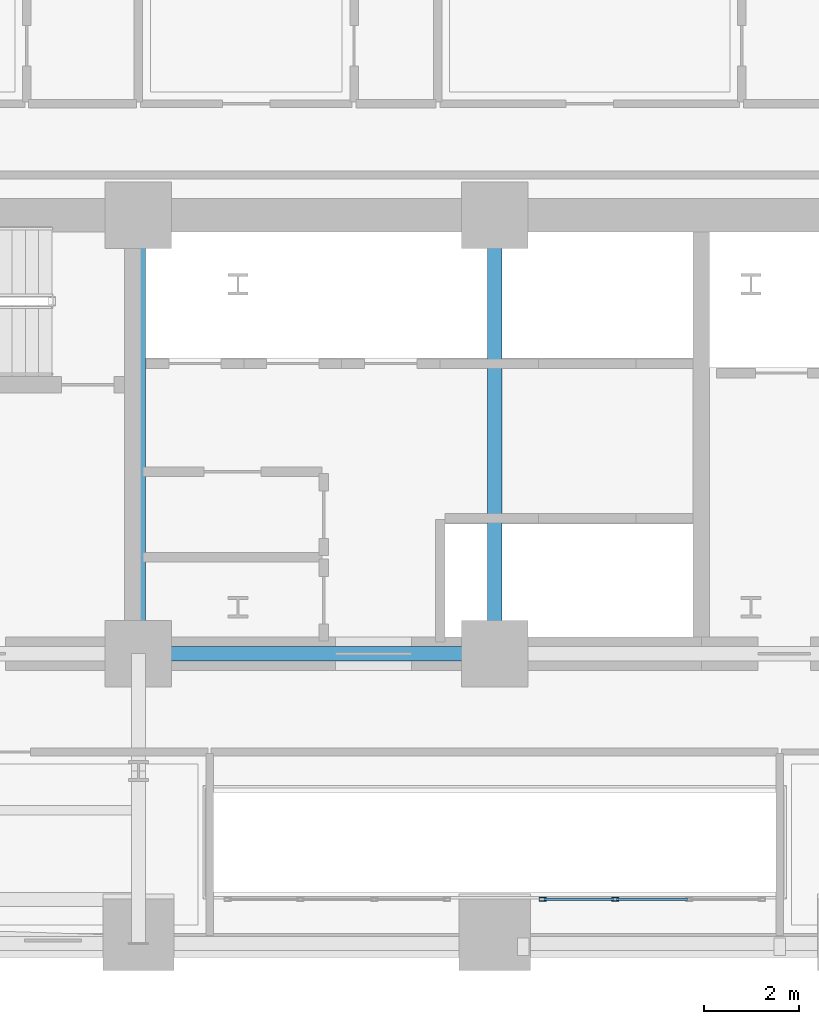
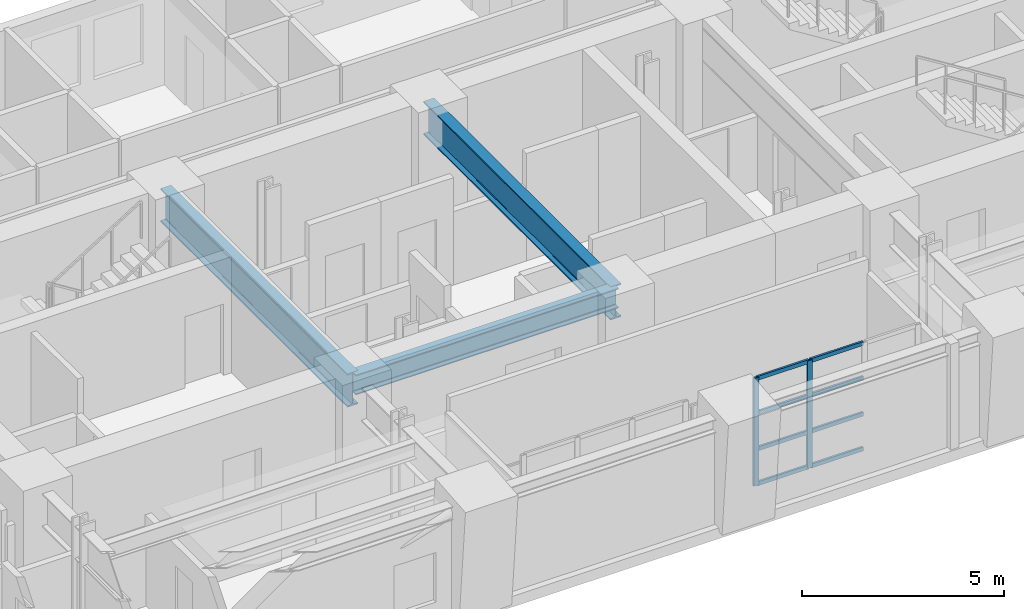
# One storey, part 3 of 16: 10 members, 3 beams, 1 element without a shape of its own.
"""IFC4 building model written with IfcOpenShell, lengths in metres."""

import ifcopenshell
import ifcopenshell.guid

model = None  # the IFC model being written
_history = None  # IfcOwnerHistory: only IFC2X3 demands one
_inside = {}  # id of a spatial element -> (the spatial element, [elements in it])
_under = {}  # id of a project, library or spatial element -> (it, [spatial elements below it])
_declared = {}  # id of a project -> (the project, [libraries it declares])
_typed = {}  # id of a type object -> (the type object, [elements of that type])
_made_of = {}  # id of a material, layer set ... -> (it, [elements and type objects made of it])


def new_model(schema):
    """Start an empty IFC model of exactly this schema.

    Asked for "IFC4X3", IfcOpenShell would pick the latest addendum, in which some entities
    have other attributes; the version numbers below select the first issue.
    IFC2X3 requires an IfcOwnerHistory on every rooted entity: one is made here for all.
    """
    global model, _history
    if schema == "IFC4X3":
        model = ifcopenshell.file(schema_version=(4, 3, 0, 0))
    else:
        model = ifcopenshell.file(schema=schema)
    _inside.clear()
    _under.clear()
    _declared.clear()
    _typed.clear()
    _made_of.clear()
    _history = None
    if model.schema == "IFC2X3":
        org = make("IfcOrganization", Name="unknown")
        user = make(
            "IfcPersonAndOrganization",
            ThePerson=make("IfcPerson", FamilyName="unknown"),
            TheOrganization=org,
        )
        app = make(
            "IfcApplication",
            ApplicationDeveloper=org,
            Version="unknown",
            ApplicationFullName="unknown",
            ApplicationIdentifier="unknown",
        )
        _history = make(
            "IfcOwnerHistory",
            OwningUser=user,
            OwningApplication=app,
            ChangeAction="ADDED",
            CreationDate=0,
        )
    return model


def make(cls, **values):
    """One entity of the class cls with the attributes given. An attribute that is None is left unset."""
    return model.create_entity(
        cls, **{name: value for name, value in values.items() if value is not None}
    )


def rooted(cls, **values):
    """An entity with a GlobalId (a new one), such as an element, a storey or a relation."""
    return make(cls, GlobalId=ifcopenshell.guid.new(), OwnerHistory=_history, **values)


def si_unit(unit_type, name, prefix=None):
    """IfcSIUnit, for example si_unit("LENGTHUNIT", "METRE", prefix="MILLI")."""
    return make("IfcSIUnit", UnitType=unit_type, Prefix=prefix, Name=name)


def assignment(units):
    """IfcUnitAssignment: the units of a project."""
    return None if units is None else make("IfcUnitAssignment", Units=units)


def point(xyz):
    """IfcCartesianPoint."""
    return None if xyz is None else make("IfcCartesianPoint", Coordinates=xyz)


def direction(xyz):
    """IfcDirection."""
    return None if xyz is None else make("IfcDirection", DirectionRatios=xyz)


def frame(location, z_axis=None, x_axis=None):
    """IfcAxis2Placement3D, a coordinate frame: its origin and axes. An axis left out is left unset."""
    return make(
        "IfcAxis2Placement3D",
        Location=point(location),
        Axis=direction(z_axis),
        RefDirection=direction(x_axis),
    )


def frame_2d(location, x_axis=None):
    """IfcAxis2Placement2D, a coordinate frame in the plane: its origin and x axis."""
    return make(
        "IfcAxis2Placement2D", Location=point(location), RefDirection=direction(x_axis)
    )


def origin():
    """The frame at (0, 0, 0) with its axes left unset."""
    return frame((0.0, 0.0, 0.0))


def origin_2d():
    """The frame at (0, 0) in the plane with its x axis left unset."""
    return frame_2d((0.0, 0.0))


def place(relative_to, where):
    """IfcLocalPlacement: puts the frame where relative to a parent placement (None: the world)."""
    return make(
        "IfcLocalPlacement", PlacementRelTo=relative_to, RelativePlacement=where
    )


def context(
    kind, dimensions, precision=None, world=None, true_north=None, identifier=None
):
    """IfcGeometricRepresentationContext, for example the 3D "Model" context."""
    return make(
        "IfcGeometricRepresentationContext",
        ContextIdentifier=identifier,
        ContextType=kind,
        CoordinateSpaceDimension=dimensions,
        Precision=precision,
        WorldCoordinateSystem=world,
        TrueNorth=true_north,
    )


def subcontext(parent, identifier, kind, view, scale=None):
    """IfcGeometricRepresentationSubContext, for example "Body" below "Model"."""
    return make(
        "IfcGeometricRepresentationSubContext",
        ContextIdentifier=identifier,
        ContextType=kind,
        ParentContext=parent,
        TargetScale=scale,
        TargetView=view,
    )


def project(units=None, contexts=None):
    """IfcProject with its units and contexts."""
    return rooted(
        "IfcProject",
        Name="project",
        RepresentationContexts=contexts,
        UnitsInContext=assignment(units),
    )


def spatial(cls, under=None, at=None, **own):
    """A site, building, storey or space (cls), placed at a placement, below another one or the project."""
    s = rooted(cls, ObjectPlacement=at, **own)
    if under is not None:
        _under.setdefault(under.id(), (under, []))[1].append(s)
    return s


def profile(cls, at=None, kind="AREA", **sizes):
    """A parametric profile (cls). Its sizes go by their IFC names, for example OverallWidth=200.0."""
    return make(cls, ProfileType=kind, Position=at, **sizes)


def hollow_rectangle(**sizes):
    """IfcRectangleHollowProfileDef."""
    return profile("IfcRectangleHollowProfileDef", **sizes)


def i_section(**sizes):
    """IfcIShapeProfileDef."""
    return profile("IfcIShapeProfileDef", **sizes)


def extrude(swept, where, along, depth):
    """IfcExtrudedAreaSolid: the profile swept, set in the frame where, extruded along a direction by depth."""
    return make(
        "IfcExtrudedAreaSolid",
        SweptArea=swept,
        Position=where,
        ExtrudedDirection=direction(along),
        Depth=depth,
    )


def shape(context_of_items, identifier, shape_type, items):
    """IfcShapeRepresentation: the items that make up one representation, for example the "Body"."""
    return make(
        "IfcShapeRepresentation",
        ContextOfItems=context_of_items,
        RepresentationIdentifier=identifier,
        RepresentationType=shape_type,
        Items=items,
    )


def material(Name=None, Category=None):
    """IfcMaterial."""
    return make("IfcMaterial", Name=Name, Category=Category)


def layer(
    of_material, thickness, ventilated=None, Name=None, Category=None, Priority=None
):
    """IfcMaterialLayer: one layer of a wall or slab, of a material (None: an air gap)."""
    return make(
        "IfcMaterialLayer",
        Material=of_material,
        LayerThickness=thickness,
        IsVentilated=ventilated,
        Name=Name,
        Category=Category,
        Priority=Priority,
    )


def layer_set(layers, Name=None):
    """IfcMaterialLayerSet."""
    return make("IfcMaterialLayerSet", MaterialLayers=layers, LayerSetName=Name)


def material_profile(
    of_material, cross_section, Name=None, Category=None, Priority=None
):
    """IfcMaterialProfile: a cross section and its material."""
    return make(
        "IfcMaterialProfile",
        Name=Name,
        Material=of_material,
        Profile=cross_section,
        Priority=Priority,
        Category=Category,
    )


def profile_set(profiles, Name=None, composite=None):
    """IfcMaterialProfileSet."""
    return make(
        "IfcMaterialProfileSet",
        Name=Name,
        MaterialProfiles=profiles,
        CompositeProfile=composite,
    )


def made_of(thing, what):
    """Note that an element or type object is made of a material, layer set ...; save() writes the relation."""
    if what is not None:
        _made_of.setdefault(what.id(), (what, []))[1].append(thing)
    return thing


def type_object(cls, material=None, **own):
    """A type object (cls), such as IfcWallType, which elements share."""
    return made_of(rooted(cls, **own), material)


def element(
    cls,
    number,
    at=None,
    inside=None,
    cuts=None,
    type_object=None,
    material=None,
    context=None,
    identifier="Body",
    shape_type=None,
    held_by="IfcProductDefinitionShape",
    body=None,
    shapes=None,
    **own,
):
    """One element of the class cls, such as IfcWall. Its Tag is "e" and its number.

    at: its placement. inside: the storey or other place that contains it. cuts: it is an
    opening in that element (IfcRelVoidsElement). A single representation is given by context,
    identifier, shape_type and body (its items); several are given by shapes. held_by: the class
    of the entity that holds the representations. save() writes the other relations.
    """
    e = rooted(cls, Tag="e%d" % number, ObjectPlacement=at, **own)
    if body is not None:
        shapes = [shape(context, identifier, shape_type, body)]
    if shapes is not None:
        e.Representation = make(held_by, Representations=shapes)
    if inside is not None:
        _inside.setdefault(inside.id(), (inside, []))[1].append(e)
    if cuts is not None:
        rooted(
            "IfcRelVoidsElement", RelatingBuildingElement=cuts, RelatedOpeningElement=e
        )
    if type_object is not None:
        _typed.setdefault(type_object.id(), (type_object, []))[1].append(e)
    return made_of(e, material)


def aggregate(whole, parts):
    """IfcRelAggregates: a whole, such as a stair, and the parts it consists of."""
    return rooted("IfcRelAggregates", RelatingObject=whole, RelatedObjects=parts)


def save(model, path):
    """Write the relations noted so far, then the file.

    IfcRelAggregates (storeys below a building ...), IfcRelContainedInSpatialStructure (elements
    in a storey), IfcRelDefinesByType, IfcRelAssociatesMaterial and IfcRelDeclares: one each for
    every whole, place, type object, material and project.
    """
    for whole, parts in _under.values():
        aggregate(whole, parts)
    for where, things in _inside.values():
        rooted(
            "IfcRelContainedInSpatialStructure",
            RelatedElements=things,
            RelatingStructure=where,
        )
    for kind, things in _typed.values():
        rooted("IfcRelDefinesByType", RelatedObjects=things, RelatingType=kind)
    for what, things in _made_of.values():
        rooted("IfcRelAssociatesMaterial", RelatedObjects=things, RelatingMaterial=what)
    for by, libraries in _declared.values():
        rooted("IfcRelDeclares", RelatingContext=by, RelatedDefinitions=libraries)
    model.write(path)


model = new_model("IFC4")

# Units and contexts
model_context = context("Model", 3, precision=1e-05, world=origin(), true_north=direction((0.0, 1.0)))
body_context = subcontext(model_context, "Body", "Model", "MODEL_VIEW")
ifc_project = project(units=[si_unit("LENGTHUNIT", "METRE"), si_unit("AREAUNIT", "SQUARE_METRE"), si_unit("VOLUMEUNIT", "CUBIC_METRE"), si_unit("PLANEANGLEUNIT", "RADIAN"), si_unit("MASSUNIT", "GRAM", prefix="KILO")], contexts=[model_context])

# Site, building, storey
site_placement = place(None, origin())
site = spatial("IfcSite", under=ifc_project, at=site_placement, CompositionType="ELEMENT")
building_placement = place(site_placement, origin())
building = spatial("IfcBuilding", under=site, at=building_placement, Name="Zarnavel Station Tower", CompositionType="ELEMENT")
storey_placement = place(building_placement, frame((0.0, 0.0, 46.5)))
storey = spatial("IfcBuildingStorey", under=building, at=storey_placement, Name="L12", CompositionType="ELEMENT", Elevation=46.5)

# Curtain wall, members
ifc_material_1 = material(Name="Aluminium Dark Anodised and Solar-Control Glass", Category="aluminium")
ifc_layer = layer(ifc_material_1, 0.179931640625)
ifc_layer_set = layer_set([ifc_layer], Name="CWS2")
curtain_wall_type = type_object("IfcCurtainWallType", Name="CWS2", PredefinedType="NOTDEFINED", material=ifc_layer_set)
curtain_wall_placement = place(storey_placement, origin())
curtain_wall = element("IfcCurtainWall", 1, at=curtain_wall_placement, inside=storey, type_object=curtain_wall_type, Name="L12 Curtain Wall CWS2-L12-AS-S2", PredefinedType="NOTDEFINED")
ifc_material_2 = material(Name="Steel S355J2 (Black Fluoropolymer Coated)", Category="steel")
ifc_material_profile_1 = material_profile(ifc_material_2, hollow_rectangle(XDim=0.074951171875, YDim=0.14990234375, WallThickness=0.00634765625, at=origin_2d()), Name="RHS150x75x6.3")
ifc_profile_set_1 = profile_set([ifc_material_profile_1], Name="Steel S355J2 (Black Fluoropolymer Coated)")
member_type_1 = type_object("IfcMemberType", Name="CWS2_MUL", PredefinedType="MULLION", material=ifc_profile_set_1)
member_1_placement = place(storey_placement, frame((29.81005859375, 22.64990234375, 0.0), z_axis=(0.0, 0.0, 1.0), x_axis=(0.0, 1.0, 0.0)))
member_1 = element("IfcMember", 2, at=member_1_placement, type_object=member_type_1, Name="CW2 mullion 1", PredefinedType="MULLION", context=body_context, shape_type="SweptSolid", body=[
    extrude(hollow_rectangle(XDim=0.074951171875, YDim=0.14990234375, WallThickness=0.00634765625, at=origin_2d()), origin(), (0.0, 0.0, 1.0), 3.239990234375),
])
member_2_placement = place(storey_placement, frame((31.336669921875, 22.64990234375, 0.0), z_axis=(0.0, 0.0, 1.0), x_axis=(0.0, 1.0, 0.0)))
member_2 = element("IfcMember", 3, at=member_2_placement, type_object=member_type_1, Name="CW2 mullion 2", PredefinedType="MULLION", context=body_context, shape_type="SweptSolid", body=[
    extrude(hollow_rectangle(XDim=0.074951171875, YDim=0.14990234375, WallThickness=0.00634765625, at=origin_2d()), origin(), (0.0, 0.0, 1.0), 3.239990234375),
])
ifc_material_3 = material(Name="Steel S355J2 (Black Fluoropolymer Coated)", Category="steel")
ifc_material_profile_2 = material_profile(ifc_material_3, hollow_rectangle(XDim=0.06005859375, YDim=0.1201171875, WallThickness=0.0048828125, at=origin_2d()), Name="RHS120x60x5")
ifc_profile_set_2 = profile_set([ifc_material_profile_2], Name="Steel S355J2 (Black Fluoropolymer Coated)")
member_type_2 = type_object("IfcMemberType", Name="CWS2_TRN", PredefinedType="USERDEFINED", material=ifc_profile_set_2)
member_3_placement = place(storey_placement, frame((29.840087890625, 22.64990234375, 0.030029296875), z_axis=(1.0, 0.0, 0.0), x_axis=(0.0, 1.0, 0.0)))
member_3 = element("IfcMember", 4, at=member_3_placement, type_object=member_type_2, Name="CW2 transom 1.1", ObjectType="TRANSOM", PredefinedType="USERDEFINED", context=body_context, shape_type="SweptSolid", body=[
    extrude(hollow_rectangle(XDim=0.06005859375, YDim=0.1201171875, WallThickness=0.0048828125, at=origin_2d()), origin(), (0.0, 0.0, 1.0), 1.466552734375),
])
member_4_placement = place(storey_placement, frame((29.840087890625, 22.64990234375, 1.080078125), z_axis=(1.0, 0.0, 0.0), x_axis=(0.0, 1.0, 0.0)))
member_4 = element("IfcMember", 5, at=member_4_placement, type_object=member_type_2, Name="CW2 transom 1.2", ObjectType="TRANSOM", PredefinedType="USERDEFINED", context=body_context, shape_type="SweptSolid", body=[
    extrude(hollow_rectangle(XDim=0.06005859375, YDim=0.1201171875, WallThickness=0.0048828125, at=origin_2d()), origin(), (0.0, 0.0, 1.0), 1.466552734375),
])
member_5_placement = place(storey_placement, frame((29.840087890625, 22.64990234375, 2.159912109375), z_axis=(1.0, 0.0, 0.0), x_axis=(0.0, 1.0, 0.0)))
member_5 = element("IfcMember", 6, at=member_5_placement, type_object=member_type_2, Name="CW2 transom 1.3", ObjectType="TRANSOM", PredefinedType="USERDEFINED", context=body_context, shape_type="SweptSolid", body=[
    extrude(hollow_rectangle(XDim=0.06005859375, YDim=0.1201171875, WallThickness=0.0048828125, at=origin_2d()), origin(), (0.0, 0.0, 1.0), 1.466552734375),
])
member_6_placement = place(storey_placement, frame((29.840087890625, 22.64990234375, 3.2099609375), z_axis=(1.0, 0.0, 0.0), x_axis=(0.0, 1.0, 0.0)))
member_6 = element("IfcMember", 7, at=member_6_placement, type_object=member_type_2, Name="CW2 transom 1.4", ObjectType="TRANSOM", PredefinedType="USERDEFINED", context=body_context, shape_type="SweptSolid", body=[
    extrude(hollow_rectangle(XDim=0.06005859375, YDim=0.1201171875, WallThickness=0.0048828125, at=origin_2d()), origin(), (0.0, 0.0, 1.0), 1.466552734375),
])
member_7_placement = place(storey_placement, frame((31.36669921875, 22.64990234375, 0.030029296875), z_axis=(1.0, 0.0, 0.0), x_axis=(0.0, 1.0, 0.0)))
member_7 = element("IfcMember", 8, at=member_7_placement, type_object=member_type_2, Name="CW2 transom 2.1", ObjectType="TRANSOM", PredefinedType="USERDEFINED", context=body_context, shape_type="SweptSolid", body=[
    extrude(hollow_rectangle(XDim=0.06005859375, YDim=0.1201171875, WallThickness=0.0048828125, at=origin_2d()), origin(), (0.0, 0.0, 1.0), 1.49658203125),
])
member_8_placement = place(storey_placement, frame((31.36669921875, 22.64990234375, 1.080078125), z_axis=(1.0, 0.0, 0.0), x_axis=(0.0, 1.0, 0.0)))
member_8 = element("IfcMember", 9, at=member_8_placement, type_object=member_type_2, Name="CW2 transom 2.2", ObjectType="TRANSOM", PredefinedType="USERDEFINED", context=body_context, shape_type="SweptSolid", body=[
    extrude(hollow_rectangle(XDim=0.06005859375, YDim=0.1201171875, WallThickness=0.0048828125, at=origin_2d()), origin(), (0.0, 0.0, 1.0), 1.49658203125),
])
member_9_placement = place(storey_placement, frame((31.36669921875, 22.64990234375, 2.159912109375), z_axis=(1.0, 0.0, 0.0), x_axis=(0.0, 1.0, 0.0)))
member_9 = element("IfcMember", 10, at=member_9_placement, type_object=member_type_2, Name="CW2 transom 2.3", ObjectType="TRANSOM", PredefinedType="USERDEFINED", context=body_context, shape_type="SweptSolid", body=[
    extrude(hollow_rectangle(XDim=0.06005859375, YDim=0.1201171875, WallThickness=0.0048828125, at=origin_2d()), origin(), (0.0, 0.0, 1.0), 1.49658203125),
])
member_10_placement = place(storey_placement, frame((31.36669921875, 22.64990234375, 3.2099609375), z_axis=(1.0, 0.0, 0.0), x_axis=(0.0, 1.0, 0.0)))
member_10 = element("IfcMember", 11, at=member_10_placement, type_object=member_type_2, Name="CW2 transom 2.4", ObjectType="TRANSOM", PredefinedType="USERDEFINED", context=body_context, shape_type="SweptSolid", body=[
    extrude(hollow_rectangle(XDim=0.06005859375, YDim=0.1201171875, WallThickness=0.0048828125, at=origin_2d()), origin(), (0.0, 0.0, 1.0), 1.49658203125),
])
aggregate(curtain_wall, [member_1, member_2, member_3, member_4, member_5, member_6, member_7, member_8, member_9, member_10])

# Beams
ifc_material_4 = material(Name="Steel S355J2", Category="steel")
ifc_material_profile_3 = material_profile(ifc_material_4, i_section(OverallWidth=0.300048828125, OverallDepth=0.60009765625, WebThickness=0.015380859375, FlangeThickness=0.030029296875, FilletRadius=0.027099609375, at=origin_2d()), Name="HEB600")
ifc_profile_set_3 = profile_set([ifc_material_profile_3], Name="Steel S355J2")
beam_type_1 = type_object("IfcBeamType", Name="FG_HEB600", PredefinedType="USERDEFINED", material=ifc_profile_set_3)
beam_placement = place(storey_placement, frame((21.300048828125, 27.820068359375, 2.93994140625), z_axis=(1.0, 0.0, 0.0), x_axis=(0.0, 1.0, 0.0)))
element("IfcBeam", 12, at=beam_placement, inside=storey, type_object=beam_type_1, Name="L12 Core Front Coupling Beam 2", ObjectType="GIRDER", PredefinedType="USERDEFINED", context=body_context, shape_type="SweptSolid", body=[
    extrude(i_section(OverallWidth=0.300048828125, OverallDepth=0.60009765625, WebThickness=0.015380859375, FlangeThickness=0.030029296875, FilletRadius=0.027099609375, at=origin_2d()), origin(), (0.0, 0.0, 1.0), 7.5),
])
ifc_material_5 = material(Name="Steel S460M", Category="steel")
ifc_material_profile_4 = material_profile(ifc_material_5, i_section(OverallWidth=0.302001953125, OverallDepth=1.008056640625, WebThickness=0.02099609375, FlangeThickness=0.0400390625, FilletRadius=0.030029296875, at=origin_2d()), Name="HEM1000")
ifc_profile_set_4 = profile_set([ifc_material_profile_4], Name="Steel S460M")
beam_type_2 = type_object("IfcBeamType", Name="TG_HEM1000", PredefinedType="USERDEFINED", material=ifc_profile_set_4)
for number, where, z_axis, x_axis, name in (
    (13, (21.300048828125, 27.820068359375, 2.736083984375), (0.0, 1.0, 0.0), (-1.0, 0.0, 0.0), "L12 Core Spine Coupling Girder 2"),
    (14, (28.800048828125, 27.820068359375, 2.736083984375), (0.0, 1.0, 0.0), (-1.0, 0.0, 0.0), "L12 Core Spine Coupling Girder 3"),
):
    element("IfcBeam", number, at=place(storey_placement, frame(where, z_axis=z_axis, x_axis=x_axis)), inside=storey, type_object=beam_type_2, Name=name, ObjectType="GIRDER", PredefinedType="USERDEFINED", context=body_context, shape_type="SweptSolid", body=[
        extrude(i_section(OverallWidth=0.302001953125, OverallDepth=1.008056640625, WebThickness=0.02099609375, FlangeThickness=0.0400390625, FilletRadius=0.030029296875, at=origin_2d()), origin(), (0.0, 0.0, 1.0), 9.22998046875),
    ])

save(model, "model.ifc")
